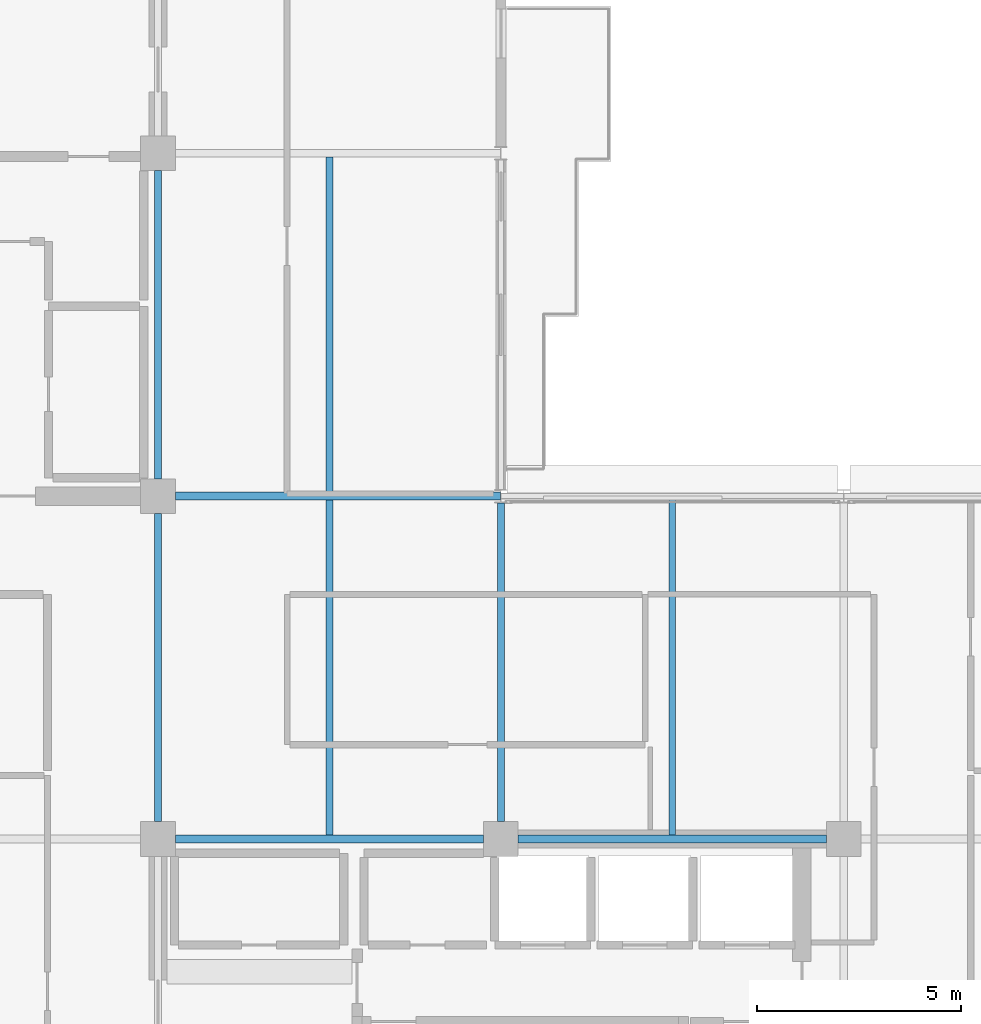
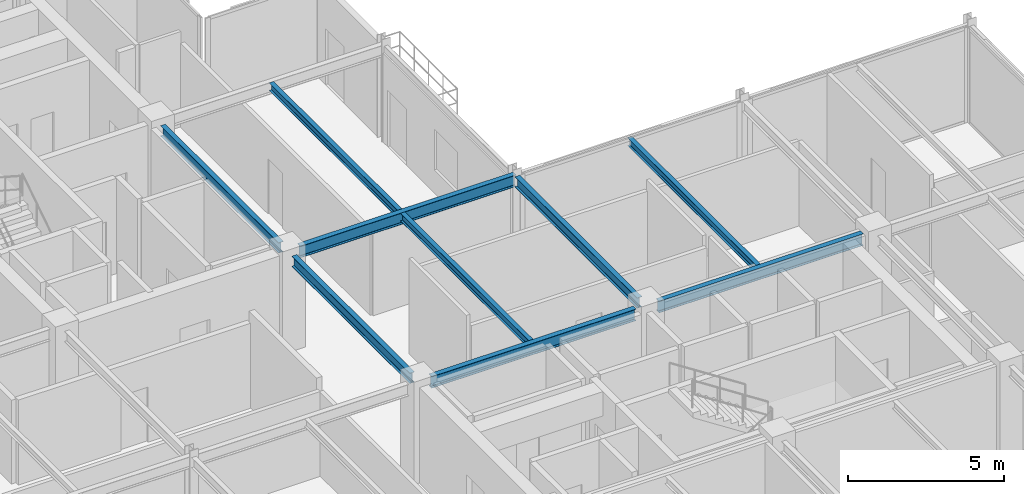
# One storey, part 12 of 27: 9 beams.
"""IFC4 building model written with IfcOpenShell, lengths in metres."""

from ifc_helpers import new_model, si_unit, direction, frame, origin, origin_2d, place, context, subcontext, project, spatial, i_section, extrude, material, material_profile, profile_set, type_object, element, save


model = new_model("IFC4")

# Units and contexts
model_context = context("Model", 3, precision=1e-05, world=origin(), true_north=direction((0.0, 1.0)))
body_context = subcontext(model_context, "Body", "Model", "MODEL_VIEW")
ifc_project = project(units=[si_unit("LENGTHUNIT", "METRE"), si_unit("AREAUNIT", "SQUARE_METRE"), si_unit("VOLUMEUNIT", "CUBIC_METRE"), si_unit("PLANEANGLEUNIT", "RADIAN"), si_unit("MASSUNIT", "GRAM", prefix="KILO")], contexts=[model_context])

# Site, building, storey
site_placement = place(None, origin())
site = spatial("IfcSite", under=ifc_project, at=site_placement, CompositionType="ELEMENT")
building_placement = place(site_placement, origin())
building = spatial("IfcBuilding", under=site, at=building_placement, Name="Nerrivon Quay Data Exchange", CompositionType="ELEMENT")
storey_placement = place(building_placement, frame((0.0, 0.0, 254.199951171875)))
storey = spatial("IfcBuildingStorey", under=building, at=storey_placement, Name="L60", CompositionType="ELEMENT", Elevation=254.199951171875)

# Beams
ifc_material = material(Name="Steel Grade 350", Category="steel")
ifc_material_profile_1 = material_profile(ifc_material, i_section(OverallWidth=0.18994140625, OverallDepth=0.4541015625, WebThickness=0.008544921875, FlangeThickness=0.0126953125, FilletRadius=0.011474609375, at=origin_2d()), Name="460UB67.1")
ifc_profile_set_1 = profile_set([ifc_material_profile_1], Name="Steel Grade 350")
beam_type_1 = type_object("IfcBeamType", Name="BM-G6-460UB67", PredefinedType="BEAM", material=ifc_profile_set_1)
beam_1_placement = place(storey_placement, frame((17.22509765625, 16.800048828125, 3.498046875), z_axis=(1.0, 0.0, 0.0), x_axis=(0.0, 1.0, 0.0)))
element("IfcBeam", 1, at=beam_1_placement, inside=storey, type_object=beam_type_1, Name="L60 EW Girder Y=16.8 (16.8..25.2)", PredefinedType="BEAM", context=body_context, shape_type="SweptSolid", body=[
    extrude(i_section(OverallWidth=0.18994140625, OverallDepth=0.4541015625, WebThickness=0.008544921875, FlangeThickness=0.0126953125, FilletRadius=0.011474609375, at=origin_2d()), origin(), (0.0, 0.0, 1.0), 7.5498046875),
])
beam_2_placement = place(storey_placement, frame((25.625, 16.800048828125, 3.498046875), z_axis=(1.0, 0.0, 0.0), x_axis=(0.0, 1.0, 0.0)))
element("IfcBeam", 2, at=beam_2_placement, inside=storey, type_object=beam_type_1, Name="L60 EW Girder Y=16.8 (25.2..33.6)", PredefinedType="BEAM", context=body_context, shape_type="SweptSolid", body=[
    extrude(i_section(OverallWidth=0.18994140625, OverallDepth=0.4541015625, WebThickness=0.008544921875, FlangeThickness=0.0126953125, FilletRadius=0.011474609375, at=origin_2d()), origin(), (0.0, 0.0, 1.0), 7.550048828125),
])
beam_3_placement = place(storey_placement, frame((17.22509765625, 25.199951171875, 3.498046875), z_axis=(1.0, 0.0, 0.0), x_axis=(0.0, 1.0, 0.0)))
element("IfcBeam", 3, at=beam_3_placement, inside=storey, type_object=beam_type_1, Name="L60 EW Girder Y=25.2 (16.8..25.2)", PredefinedType="BEAM", context=body_context, shape_type="SweptSolid", body=[
    extrude(i_section(OverallWidth=0.18994140625, OverallDepth=0.4541015625, WebThickness=0.008544921875, FlangeThickness=0.0126953125, FilletRadius=0.011474609375, at=origin_2d()), origin(), (0.0, 0.0, 1.0), 7.967041015625),
])
ifc_material_profile_2 = material_profile(ifc_material, i_section(OverallWidth=0.177978515625, OverallDepth=0.406005859375, WebThickness=0.0078125, FlangeThickness=0.0126953125, FilletRadius=0.011474609375, at=origin_2d()), Name="410UB59.7")
ifc_profile_set_2 = profile_set([ifc_material_profile_2], Name="Steel Grade 350")
beam_type_2 = type_object("IfcBeamType", Name="BM-J1-410UB60", PredefinedType="JOIST", material=ifc_profile_set_2)
beam_4_placement = place(storey_placement, frame((16.800048828125, 17.22509765625, 3.52197265625), z_axis=(0.0, 1.0, 0.0), x_axis=(-1.0, 0.0, 0.0)))
element("IfcBeam", 4, at=beam_4_placement, inside=storey, type_object=beam_type_2, Name="L60 NS Girder X=16.8 (16.8..25.2)", PredefinedType="JOIST", context=body_context, shape_type="SweptSolid", body=[
    extrude(i_section(OverallWidth=0.177978515625, OverallDepth=0.406005859375, WebThickness=0.0078125, FlangeThickness=0.0126953125, FilletRadius=0.011474609375, at=origin_2d()), origin(), (0.0, 0.0, 1.0), 7.5498046875),
])
beam_5_placement = place(storey_placement, frame((16.800048828125, 25.625, 3.52197265625), z_axis=(0.0, 1.0, 0.0), x_axis=(-1.0, 0.0, 0.0)))
element("IfcBeam", 5, at=beam_5_placement, inside=storey, type_object=beam_type_2, Name="L60 NS Girder X=16.8 (25.2..33.6)", PredefinedType="JOIST", context=body_context, shape_type="SweptSolid", body=[
    extrude(i_section(OverallWidth=0.177978515625, OverallDepth=0.406005859375, WebThickness=0.0078125, FlangeThickness=0.0126953125, FilletRadius=0.011474609375, at=origin_2d()), origin(), (0.0, 0.0, 1.0), 7.550048828125),
])
beam_6_placement = place(storey_placement, frame((25.199951171875, 17.22509765625, 3.52197265625), z_axis=(0.0, 1.0, 0.0), x_axis=(-1.0, 0.0, 0.0)))
element("IfcBeam", 6, at=beam_6_placement, inside=storey, type_object=beam_type_2, Name="L60 NS Girder X=25.2 (16.8..25.2)", PredefinedType="JOIST", context=body_context, shape_type="SweptSolid", body=[
    extrude(i_section(OverallWidth=0.177978515625, OverallDepth=0.406005859375, WebThickness=0.0078125, FlangeThickness=0.0126953125, FilletRadius=0.011474609375, at=origin_2d()), origin(), (0.0, 0.0, 1.0), 7.8115234375),
])
ifc_material_profile_3 = material_profile(ifc_material, i_section(OverallWidth=0.1650390625, OverallDepth=0.303955078125, WebThickness=0.006103515625, FlangeThickness=0.01025390625, FilletRadius=0.011474609375, at=origin_2d()), Name="310UB40.4")
ifc_profile_set_3 = profile_set([ifc_material_profile_3], Name="Steel Grade 350")
beam_type_3 = type_object("IfcBeamType", Name="BM-J6-310UB40", PredefinedType="JOIST", material=ifc_profile_set_3)
for number, where, z_axis, x_axis, name in (
    (7, (21.0, 16.89501953125, 3.572998046875), (0.0, 1.0, 0.0), (-1.0, 0.0, 0.0), "L60 Secondary Joist X=21.0 (16.8..25.2)"),
    (8, (21.0, 25.294921875, 3.572998046875), (0.0, 1.0, 0.0), (-1.0, 0.0, 0.0), "L60 Secondary Joist X=21.0 (25.2..33.6)"),
):
    element("IfcBeam", number, at=place(storey_placement, frame(where, z_axis=z_axis, x_axis=x_axis)), inside=storey, type_object=beam_type_3, Name=name, PredefinedType="JOIST", context=body_context, shape_type="SweptSolid", body=[
        extrude(i_section(OverallWidth=0.1650390625, OverallDepth=0.303955078125, WebThickness=0.006103515625, FlangeThickness=0.01025390625, FilletRadius=0.011474609375, at=origin_2d()), origin(), (0.0, 0.0, 1.0), 8.2099609375),
    ])
beam_7_placement = place(storey_placement, frame((29.39990234375, 16.89501953125, 3.572998046875), z_axis=(0.0, 1.0, 0.0), x_axis=(-1.0, 0.0, 0.0)))
element("IfcBeam", 9, at=beam_7_placement, inside=storey, type_object=beam_type_3, Name="L60 Secondary Joist X=29.4 (16.8..25.2)", PredefinedType="JOIST", context=body_context, shape_type="SweptSolid", body=[
    extrude(i_section(OverallWidth=0.1650390625, OverallDepth=0.303955078125, WebThickness=0.006103515625, FlangeThickness=0.01025390625, FilletRadius=0.011474609375, at=origin_2d()), origin(), (0.0, 0.0, 1.0), 8.22998046875),
])

save(model, "model.ifc")
